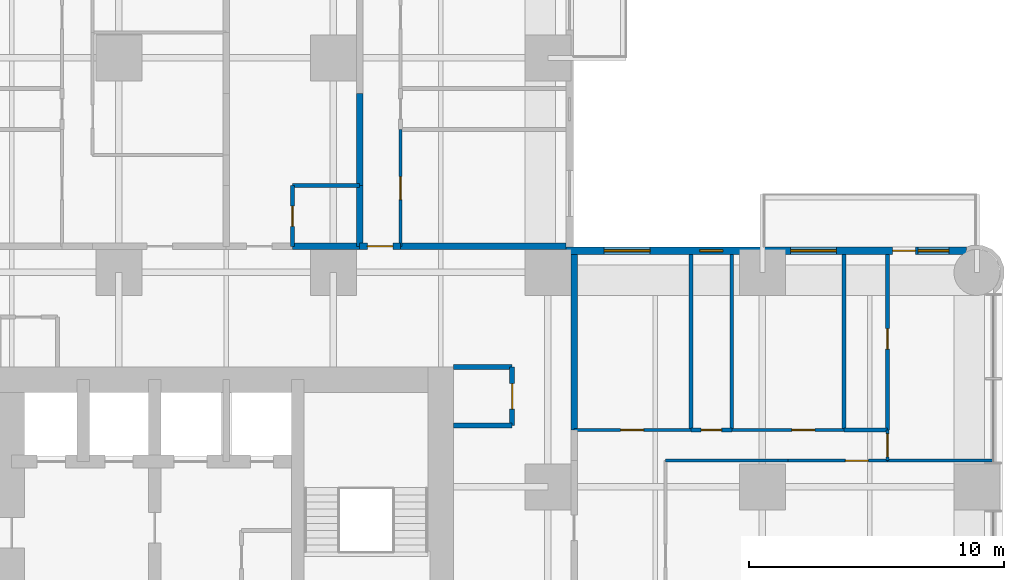
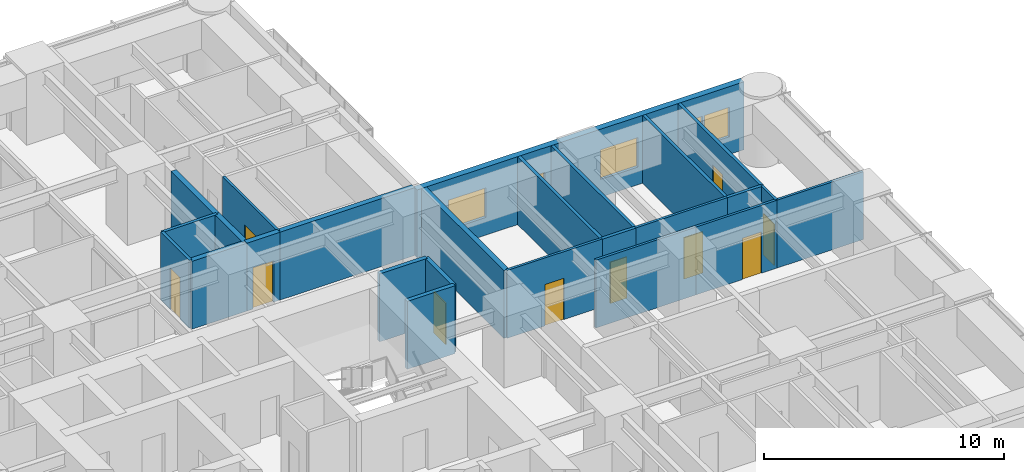
# One storey, part 14 of 17: 25 walls, 11 doors, 4 windows, 15 openings.
"""IFC4 building model written with IfcOpenShell, lengths in metres."""

from ifc_helpers import new_model, si_unit, direction, frame, frame_2d, origin, place, context, subcontext, project, spatial, rectangle, extrude, material, layer, layer_set, type_object, element, fill, save


model = new_model("IFC4")

# Units and contexts
model_context = context("Model", 3, precision=1e-05, world=origin(), true_north=direction((0.0, 1.0)))
body_context = subcontext(model_context, "Body", "Model", "MODEL_VIEW")
ifc_project = project(units=[si_unit("LENGTHUNIT", "METRE"), si_unit("AREAUNIT", "SQUARE_METRE"), si_unit("VOLUMEUNIT", "CUBIC_METRE"), si_unit("PLANEANGLEUNIT", "RADIAN"), si_unit("MASSUNIT", "GRAM", prefix="KILO")], contexts=[model_context])

# Site, building, storey
site_placement = place(None, origin())
site = spatial("IfcSite", under=ifc_project, at=site_placement, CompositionType="ELEMENT")
building_placement = place(site_placement, origin())
building = spatial("IfcBuilding", under=site, at=building_placement, Name="Torre Alcanfor", CompositionType="ELEMENT")
storey_placement = place(building_placement, frame((0.0, 0.0, 63.300048828125)))
storey = spatial("IfcBuildingStorey", under=building, at=storey_placement, Name="L15", CompositionType="ELEMENT", Elevation=63.300048828125)

# Wall
ifc_material_1 = material(Name="Concrete block masonry, hollow blocks NMX-C-404 9 MPa", Category="masonry")
ifc_layer_1 = layer(ifc_material_1, 0.25)
ifc_layer_set_1 = layer_set([ifc_layer_1], Name="Apartment entrance wall 250 EI 60")
wall_type_1 = type_object("IfcWallType", Name="Apartment entrance wall 250 EI 60", PredefinedType="PARTITIONING", material=ifc_layer_set_1)
wall_1_placement = place(storey_placement, frame((32.0, 43.02490234375, 0.0), z_axis=(0.0, 0.0, 1.0), x_axis=(1.0, 0.0, 0.0)))
element("IfcWall", 1, at=wall_1_placement, inside=storey, type_object=wall_type_1, Name="Partition L15-CORR / L15-N2A-BATH", PredefinedType="PARTITIONING", context=body_context, shape_type="SweptSolid", body=[
    extrude(rectangle(XDim=2.62890625, YDim=0.25, at=frame_2d((1.314453125, 0.0))), origin(), (0.0, 0.0, 1.0), 3.449951171875),
])

# Wall, opening, door
wall_2_placement = place(storey_placement, frame((34.62890625, 43.02490234375, 0.0), z_axis=(0.0, 0.0, 1.0), x_axis=(1.0, 0.0, 0.0)))
wall_2 = element("IfcWall", 2, at=wall_2_placement, inside=storey, type_object=wall_type_1, Name="Partition L15-CORR / L15-N2B-HALL", PredefinedType="PARTITIONING", context=body_context, shape_type="SweptSolid", body=[
    extrude(rectangle(XDim=1.60009765625, YDim=0.25, at=frame_2d((0.800048828125, 0.0))), origin(), (0.0, 0.0, 1.0), 3.449951171875),
])
opening_1_placement = place(wall_2_placement, frame((0.300048828125, 0.0, 0.0)))
opening_1 = element("IfcOpeningElement", 3, at=opening_1_placement, cuts=wall_2, Name="Opening D-A1", PredefinedType="OPENING", context=body_context, shape_type="SweptSolid", body=[
    extrude(rectangle(XDim=1.0, YDim=2.10009765625, at=frame_2d((0.5, 1.050048828125))), frame((0.0, 0.135009765625, 0.0), z_axis=(0.0, -1.0, 0.0), x_axis=(1.0, 0.0, 0.0)), (0.0, 0.0, 1.0), 0.27001953125),
])
ifc_material_2 = material(Name="Galvanised steel sheet ASTM A653", Category="steel")
door_type_1 = type_object("IfcDoorType", Name="Apartment entrance door FD60 1000x2100", OperationType="SINGLE_SWING_LEFT", PredefinedType="DOOR", material=ifc_material_2)
door_1_placement = place(opening_1_placement, origin())
door_1 = element("IfcDoor", 4, at=door_1_placement, inside=storey, type_object=door_type_1, Name="Apartment entrance L15-N2B", OperationType="SINGLE_SWING_LEFT", OverallHeight=2.10009765625, OverallWidth=1.0, PredefinedType="DOOR", context=body_context, shape_type="SweptSolid", body=[
    extrude(rectangle(XDim=1.0, YDim=2.10009765625, at=frame_2d((0.5, 1.050048828125))), frame((0.0, 0.02490234375, 0.0), z_axis=(0.0, -1.0, 0.0), x_axis=(1.0, 0.0, 0.0)), (0.0, 0.0, 1.0), 0.050048828125),
])
fill(opening_1, door_1)

# Walls
wall_3_placement = place(storey_placement, frame((36.22900390625, 43.02490234375, 0.0), z_axis=(0.0, 0.0, 1.0), x_axis=(1.0, 0.0, 0.0)))
element("IfcWall", 5, at=wall_3_placement, inside=storey, type_object=wall_type_1, Name="Partition L15-CORR / L15-N2B-BED2", PredefinedType="PARTITIONING", context=body_context, shape_type="SweptSolid", body=[
    extrude(rectangle(XDim=6.470947265625, YDim=0.25, at=frame_2d((3.2353515625, 0.0))), origin(), (0.0, 0.0, 1.0), 3.449951171875),
])
wall_4_placement = place(storey_placement, frame((43.02490234375, 42.699951171875, 0.0), z_axis=(0.0, 0.0, 1.0), x_axis=(0.0, -1.0, 0.0)))
element("IfcWall", 6, at=wall_4_placement, inside=storey, type_object=wall_type_1, Name="Partition L15-CORR / L15-E1-BED3", PredefinedType="PARTITIONING", context=body_context, shape_type="SweptSolid", body=[
    extrude(rectangle(XDim=6.870849609375, YDim=0.25, at=frame_2d((3.435546875, 0.0))), origin(), (0.0, 0.0, 1.0), 3.449951171875),
])

# Wall, opening, door
ifc_material_3 = material(Name="Gypsum board on steel studs", Category="steel")
ifc_layer_2 = layer(ifc_material_3, 0.1201171875)
ifc_layer_set_2 = layer_set([ifc_layer_2], Name="Apartment partition 120")
wall_type_2 = type_object("IfcWallType", Name="Apartment partition 120", PredefinedType="PARTITIONING", material=ifc_layer_set_2)
wall_5_placement = place(storey_placement, frame((36.22900390625, 47.60009765625, 0.0), z_axis=(0.0, 0.0, 1.0), x_axis=(0.0, -1.0, 0.0)))
wall_5 = element("IfcWall", 7, at=wall_5_placement, inside=storey, type_object=wall_type_2, Name="Partition L15-N2B-HALL / L15-N2B-BED2", PredefinedType="PARTITIONING", context=body_context, shape_type="SweptSolid", body=[
    extrude(rectangle(XDim=4.5751953125, YDim=0.1201171875, at=frame_2d((2.28759765625, 0.0))), origin(), (0.0, 0.0, 1.0), 3.449951171875),
])
opening_2_placement = place(wall_5_placement, frame((1.85009765625, 0.0, 0.0)))
opening_2 = element("IfcOpeningElement", 8, at=opening_2_placement, cuts=wall_5, Name="Opening D-R1", PredefinedType="OPENING", context=body_context, shape_type="SweptSolid", body=[
    extrude(rectangle(XDim=0.89990234375, YDim=2.10009765625, at=frame_2d((0.449951171875, 1.050048828125))), frame((0.0, 0.070068359375, 0.0), z_axis=(0.0, -1.0, 0.0), x_axis=(1.0, 0.0, 0.0)), (0.0, 0.0, 1.0), 0.14013671875),
])
ifc_material_4 = material(Name="Timber", Category="wood")
door_type_2 = type_object("IfcDoorType", Name="Internal door 900x2100", OperationType="SINGLE_SWING_LEFT", PredefinedType="DOOR", material=ifc_material_4)
door_2_placement = place(opening_2_placement, origin())
door_2 = element("IfcDoor", 9, at=door_2_placement, inside=storey, type_object=door_type_2, Name="Door L15-N2B bed2", OperationType="SINGLE_SWING_RIGHT", OverallHeight=2.10009765625, OverallWidth=0.89990234375, PredefinedType="DOOR", context=body_context, shape_type="SweptSolid", body=[
    extrude(rectangle(XDim=0.89990234375, YDim=2.10009765625, at=frame_2d((0.449951171875, 1.050048828125))), frame((0.0, 0.02490234375, 0.0), z_axis=(0.0, -1.0, 0.0), x_axis=(1.0, 0.0, 0.0)), (0.0, 0.0, 1.0), 0.050048828125),
])
fill(opening_2, door_2)

# Wall
wall_6_placement = place(storey_placement, frame((51.39990234375, 34.62890625, 0.0), z_axis=(0.0, 0.0, 1.0), x_axis=(-1.0, 0.0, 0.0)))
element("IfcWall", 10, at=wall_6_placement, inside=storey, type_object=wall_type_2, Name="Partition L15-E1-KITCHEN / L15-E1-HALL", PredefinedType="PARTITIONING", context=body_context, shape_type="SweptSolid", body=[
    extrude(rectangle(XDim=4.7998046875, YDim=0.1201171875, at=frame_2d((2.39990234375, 0.0))), origin(), (0.0, 0.0, 1.0), 3.449951171875),
])

# Wall, opening, door
wall_7_placement = place(storey_placement, frame((55.300048828125, 34.62890625, 0.0), z_axis=(0.0, 0.0, 1.0), x_axis=(-1.0, 0.0, 0.0)))
wall_7 = element("IfcWall", 11, at=wall_7_placement, inside=storey, type_object=wall_type_2, Name="Partition L15-E1-LIVING / L15-E1-HALL", PredefinedType="PARTITIONING", context=body_context, shape_type="SweptSolid", body=[
    extrude(rectangle(XDim=3.900146484375, YDim=0.1201171875, at=frame_2d((1.9501953125, 0.0))), origin(), (0.0, 0.0, 1.0), 3.449951171875),
])
opening_3_placement = place(wall_7_placement, frame((0.75, 0.0, 0.0)))
opening_3 = element("IfcOpeningElement", 12, at=opening_3_placement, cuts=wall_7, Name="Opening D-R1", PredefinedType="OPENING", context=body_context, shape_type="SweptSolid", body=[
    extrude(rectangle(XDim=0.89990234375, YDim=2.10009765625, at=frame_2d((0.449951171875, 1.050048828125))), frame((0.0, 0.070068359375, 0.0), z_axis=(0.0, -1.0, 0.0), x_axis=(1.0, 0.0, 0.0)), (0.0, 0.0, 1.0), 0.14013671875),
])
door_3_placement = place(opening_3_placement, origin())
door_3 = element("IfcDoor", 13, at=door_3_placement, inside=storey, type_object=door_type_2, Name="Door L15-E1 living", OperationType="SINGLE_SWING_RIGHT", OverallHeight=2.10009765625, OverallWidth=0.89990234375, PredefinedType="DOOR", context=body_context, shape_type="SweptSolid", body=[
    extrude(rectangle(XDim=0.89990234375, YDim=2.10009765625, at=frame_2d((0.449951171875, 1.050048828125))), frame((0.0, 0.02490234375, 0.0), z_axis=(0.0, -1.0, 0.0), x_axis=(1.0, 0.0, 0.0)), (0.0, 0.0, 1.0), 0.050048828125),
])
fill(opening_3, door_3)

# Wall
wall_8_placement = place(storey_placement, frame((59.449951171875, 34.62890625, 0.0), z_axis=(0.0, 0.0, 1.0), x_axis=(-1.0, 0.0, 0.0)))
element("IfcWall", 14, at=wall_8_placement, inside=storey, type_object=wall_type_2, Name="Partition L15-E1-LIVING / L15-E1-MASTER", PredefinedType="PARTITIONING", context=body_context, shape_type="SweptSolid", body=[
    extrude(rectangle(XDim=4.14990234375, YDim=0.1201171875, at=frame_2d((2.074951171875, 0.0))), origin(), (0.0, 0.0, 1.0), 3.449951171875),
])

# Wall, opening, door
wall_9_placement = place(storey_placement, frame((47.60009765625, 35.8291015625, 0.0), z_axis=(0.0, 0.0, 1.0), x_axis=(-1.0, 0.0, 0.0)))
wall_9 = element("IfcWall", 15, at=wall_9_placement, inside=storey, type_object=wall_type_2, Name="Partition L15-E1-HALL / L15-E1-BED3", PredefinedType="PARTITIONING", context=body_context, shape_type="SweptSolid", body=[
    extrude(rectangle(XDim=4.5751953125, YDim=0.1201171875, at=frame_2d((2.28759765625, 0.0))), origin(), (0.0, 0.0, 1.0), 3.449951171875),
])
opening_4_placement = place(wall_9_placement, frame((1.85009765625, 0.0, 0.0)))
opening_4 = element("IfcOpeningElement", 16, at=opening_4_placement, cuts=wall_9, Name="Opening D-R1", PredefinedType="OPENING", context=body_context, shape_type="SweptSolid", body=[
    extrude(rectangle(XDim=0.89990234375, YDim=2.10009765625, at=frame_2d((0.449951171875, 1.050048828125))), frame((0.0, 0.070068359375, 0.0), z_axis=(0.0, -1.0, 0.0), x_axis=(1.0, 0.0, 0.0)), (0.0, 0.0, 1.0), 0.14013671875),
])
door_4_placement = place(opening_4_placement, frame((0.89990234375, 0.0, 0.0), z_axis=(0.0, 0.0, 1.0), x_axis=(-1.0, 0.0, 0.0)))
door_4 = element("IfcDoor", 17, at=door_4_placement, inside=storey, type_object=door_type_2, Name="Door L15-E1 bed3", OperationType="SINGLE_SWING_LEFT", OverallHeight=2.10009765625, OverallWidth=0.89990234375, PredefinedType="DOOR", context=body_context, shape_type="SweptSolid", body=[
    extrude(rectangle(XDim=0.89990234375, YDim=2.10009765625, at=frame_2d((0.449951171875, 1.050048828125))), frame((0.0, 0.025146484375, 0.0), z_axis=(0.0, -1.0, 0.0), x_axis=(1.0, 0.0, 0.0)), (0.0, 0.0, 1.0), 0.050048828125),
])
fill(opening_4, door_4)

wall_10_placement = place(storey_placement, frame((53.60009765625, 35.8291015625, 0.0), z_axis=(0.0, 0.0, 1.0), x_axis=(-1.0, 0.0, 0.0)))
wall_10 = element("IfcWall", 18, at=wall_10_placement, inside=storey, type_object=wall_type_2, Name="Partition L15-E1-HALL / L15-E1-BED2", PredefinedType="PARTITIONING", context=body_context, shape_type="SweptSolid", body=[
    extrude(rectangle(XDim=4.400146484375, YDim=0.1201171875, at=frame_2d((2.2001953125, 0.0))), origin(), (0.0, 0.0, 1.0), 3.449951171875),
])
opening_5_placement = place(wall_10_placement, frame((1.14990234375, 0.0, 0.0)))
opening_5 = element("IfcOpeningElement", 19, at=opening_5_placement, cuts=wall_10, Name="Opening D-R1", PredefinedType="OPENING", context=body_context, shape_type="SweptSolid", body=[
    extrude(rectangle(XDim=0.89990234375, YDim=2.10009765625, at=frame_2d((0.449951171875, 1.050048828125))), frame((0.0, 0.070068359375, 0.0), z_axis=(0.0, -1.0, 0.0), x_axis=(1.0, 0.0, 0.0)), (0.0, 0.0, 1.0), 0.14013671875),
])
door_5_placement = place(opening_5_placement, frame((0.89990234375, 0.0, 0.0), z_axis=(0.0, 0.0, 1.0), x_axis=(-1.0, 0.0, 0.0)))
door_5 = element("IfcDoor", 20, at=door_5_placement, inside=storey, type_object=door_type_2, Name="Door L15-E1 bed2", OperationType="SINGLE_SWING_RIGHT", OverallHeight=2.10009765625, OverallWidth=0.89990234375, PredefinedType="DOOR", context=body_context, shape_type="SweptSolid", body=[
    extrude(rectangle(XDim=0.89990234375, YDim=2.10009765625, at=frame_2d((0.449951171875, 1.050048828125))), frame((0.0, 0.025146484375, 0.0), z_axis=(0.0, -1.0, 0.0), x_axis=(1.0, 0.0, 0.0)), (0.0, 0.0, 1.0), 0.050048828125),
])
fill(opening_5, door_5)

wall_11_placement = place(storey_placement, frame((55.300048828125, 34.62890625, 0.0), z_axis=(0.0, 0.0, 1.0), x_axis=(0.0, 1.0, 0.0)))
wall_11 = element("IfcWall", 21, at=wall_11_placement, inside=storey, type_object=wall_type_2, Name="Partition L15-E1-HALL / L15-E1-MASTER", PredefinedType="PARTITIONING", context=body_context, shape_type="SweptSolid", body=[
    extrude(rectangle(XDim=1.2001953125, YDim=0.1201171875, at=frame_2d((0.60009765625, 0.0))), origin(), (0.0, 0.0, 1.0), 3.449951171875),
])
opening_6_placement = place(wall_11_placement, frame((0.15087890625, 0.0, 0.0)))
opening_6 = element("IfcOpeningElement", 22, at=opening_6_placement, cuts=wall_11, Name="Opening D-R1", PredefinedType="OPENING", context=body_context, shape_type="SweptSolid", body=[
    extrude(rectangle(XDim=0.89990234375, YDim=2.10009765625, at=frame_2d((0.449951171875, 1.050048828125))), frame((0.0, 0.070068359375, 0.0), z_axis=(0.0, -1.0, 0.0), x_axis=(1.0, 0.0, 0.0)), (0.0, 0.0, 1.0), 0.14013671875),
])
door_6_placement = place(opening_6_placement, frame((0.89990234375, 0.0, 0.0), z_axis=(0.0, 0.0, 1.0), x_axis=(-1.0, 0.0, 0.0)))
door_6 = element("IfcDoor", 23, at=door_6_placement, inside=storey, type_object=door_type_2, Name="Door L15-E1 master", OperationType="SINGLE_SWING_RIGHT", OverallHeight=2.10009765625, OverallWidth=0.89990234375, PredefinedType="DOOR", context=body_context, shape_type="SweptSolid", body=[
    extrude(rectangle(XDim=0.89990234375, YDim=2.10009765625, at=frame_2d((0.449951171875, 1.050048828125))), frame((0.0, 0.025146484375, 0.0), z_axis=(0.0, -1.0, 0.0), x_axis=(1.0, 0.0, 0.0)), (0.0, 0.0, 1.0), 0.050048828125),
])
fill(opening_6, door_6)

# Wall, openings, door, windows
ifc_material_5 = material(Name="Limestone cladding", Category="masonry")
ifc_layer_3 = layer(ifc_material_5, 0.0400390625, Name="Facing")
ifc_material_6 = material(Name="Ventilated air cavity")
ifc_layer_4 = layer(ifc_material_6, 0.02001953125, ventilated=True, Name="Ventilated joint")
ifc_material_7 = material(Name="Mineral wool insulation", Category="insulation")
ifc_layer_5 = layer(ifc_material_7, 0.10009765625, Name="Insulation")
ifc_material_8 = material(Name="Concrete f'c 35 MPa", Category="concrete")
ifc_layer_6 = layer(ifc_material_8, 0.139892578125, Name="Backing")
ifc_layer_set_3 = layer_set([ifc_layer_3, ifc_layer_4, ifc_layer_5, ifc_layer_6], Name="External wall stone-clad 300")
wall_type_3 = type_object("IfcWallType", Name="External wall stone-clad 300", PredefinedType="SOLIDWALL", material=ifc_layer_set_3)
wall_12_placement = place(storey_placement, frame((58.39990234375, 42.85009765625, 0.0), z_axis=(0.0, 0.0, 1.0), x_axis=(-1.0, 0.0, 0.0)))
wall_12 = element("IfcWall", 24, at=wall_12_placement, inside=storey, type_object=wall_type_3, Name="External wall L15 9", PredefinedType="SOLIDWALL", context=body_context, shape_type="SweptSolid", body=[
    extrude(rectangle(XDim=15.699951171875, YDim=0.300048828125, at=frame_2d((7.85009765625, 0.0))), origin(), (0.0, 0.0, 1.0), 3.449951171875),
])
opening_7_placement = place(wall_12_placement, frame((12.39990234375, 0.0, 0.89990234375)))
opening_7 = element("IfcOpeningElement", 25, at=opening_7_placement, cuts=wall_12, Name="Opening W2", PredefinedType="OPENING", context=body_context, shape_type="SweptSolid", body=[
    extrude(rectangle(XDim=1.800048828125, YDim=1.5, at=frame_2d((0.89990234375, 0.75))), frame((0.0, 0.159912109375, 0.0), z_axis=(0.0, -1.0, 0.0), x_axis=(1.0, 0.0, 0.0)), (0.0, 0.0, 1.0), 0.320068359375),
])
opening_8_placement = place(wall_12_placement, frame((9.550048828125, 0.0, 1.5)))
opening_8 = element("IfcOpeningElement", 26, at=opening_8_placement, cuts=wall_12, Name="Opening W3", PredefinedType="OPENING", context=body_context, shape_type="SweptSolid", body=[
    extrude(rectangle(XDim=0.89990234375, YDim=0.699951171875, at=frame_2d((0.449951171875, 0.35009765625))), frame((0.0, 0.159912109375, 0.0), z_axis=(0.0, -1.0, 0.0), x_axis=(1.0, 0.0, 0.0)), (0.0, 0.0, 1.0), 0.320068359375),
])
opening_9_placement = place(wall_12_placement, frame((5.10009765625, 0.0, 0.89990234375)))
opening_9 = element("IfcOpeningElement", 27, at=opening_9_placement, cuts=wall_12, Name="Opening W2", PredefinedType="OPENING", context=body_context, shape_type="SweptSolid", body=[
    extrude(rectangle(XDim=1.800048828125, YDim=1.5, at=frame_2d((0.89990234375, 0.75))), frame((0.0, 0.159912109375, 0.0), z_axis=(0.0, -1.0, 0.0), x_axis=(1.0, 0.0, 0.0)), (0.0, 0.0, 1.0), 0.320068359375),
])
opening_10_placement = place(wall_12_placement, frame((2.0, 0.0, 0.0)))
opening_10 = element("IfcOpeningElement", 28, at=opening_10_placement, cuts=wall_12, Name="Opening D-B1", PredefinedType="OPENING", context=body_context, shape_type="SweptSolid", body=[
    extrude(rectangle(XDim=0.89990234375, YDim=2.39990234375, at=frame_2d((0.449951171875, 1.199951171875))), frame((0.0, 0.159912109375, 0.0), z_axis=(0.0, -1.0, 0.0), x_axis=(1.0, 0.0, 0.0)), (0.0, 0.0, 1.0), 0.320068359375),
])
opening_11_placement = place(wall_12_placement, frame((0.699951171875, 0.0, 0.89990234375)))
opening_11 = element("IfcOpeningElement", 29, at=opening_11_placement, cuts=wall_12, Name="Opening W4", PredefinedType="OPENING", context=body_context, shape_type="SweptSolid", body=[
    extrude(rectangle(XDim=1.199951171875, YDim=1.5, at=frame_2d((0.60009765625, 0.75))), frame((0.0, 0.159912109375, 0.0), z_axis=(0.0, -1.0, 0.0), x_axis=(1.0, 0.0, 0.0)), (0.0, 0.0, 1.0), 0.320068359375),
])
ifc_material_9 = material(Name="Aluminium and glass", Category="aluminium")
door_type_3 = type_object("IfcDoorType", Name="Balcony door glazed 900x2400", OperationType="SINGLE_SWING_LEFT", PredefinedType="DOOR", material=ifc_material_9)
door_7_placement = place(opening_10_placement, origin())
door_7 = element("IfcDoor", 30, at=door_7_placement, inside=storey, type_object=door_type_3, Name="Balcony door L15-E1", OperationType="SINGLE_SWING_RIGHT", OverallHeight=2.39990234375, OverallWidth=0.89990234375, PredefinedType="DOOR", context=body_context, shape_type="SweptSolid", body=[
    extrude(rectangle(XDim=0.89990234375, YDim=2.39990234375, at=frame_2d((0.449951171875, 1.199951171875))), frame((0.0, 0.02490234375, 0.0), z_axis=(0.0, -1.0, 0.0), x_axis=(1.0, 0.0, 0.0)), (0.0, 0.0, 1.0), 0.050048828125),
])
fill(opening_10, door_7)
ifc_material_10 = material(Name="Aluminium frame with clear double glazing", Category="aluminium")
window_type_1 = type_object("IfcWindowType", Name="Window bathroom 900x700", PartitioningType="SINGLE_PANEL", PredefinedType="WINDOW", material=ifc_material_10)
window_1_placement = place(opening_8_placement, origin())
window_1 = element("IfcWindow", 31, at=window_1_placement, inside=storey, type_object=window_type_1, Name="Window W3 L15-E1", OverallHeight=0.699951171875, OverallWidth=0.89990234375, PartitioningType="SINGLE_PANEL", PredefinedType="WINDOW", context=body_context, shape_type="SweptSolid", body=[
    extrude(rectangle(XDim=0.89990234375, YDim=0.699951171875, at=frame_2d((0.449951171875, 0.35009765625))), frame((0.0, 0.030029296875, 0.0), z_axis=(0.0, -1.0, 0.0), x_axis=(1.0, 0.0, 0.0)), (0.0, 0.0, 1.0), 0.06005859375),
])
fill(opening_8, window_1)
ifc_material_11 = material(Name="Aluminium frame with clear double glazing", Category="aluminium")
window_type_2 = type_object("IfcWindowType", Name="Window bedroom 1200x1500", PartitioningType="SINGLE_PANEL", PredefinedType="WINDOW", material=ifc_material_11)
window_2_placement = place(opening_11_placement, origin())
window_2 = element("IfcWindow", 32, at=window_2_placement, inside=storey, type_object=window_type_2, Name="Window W4 L15-E1", OverallHeight=1.5, OverallWidth=1.199951171875, PartitioningType="SINGLE_PANEL", PredefinedType="WINDOW", context=body_context, shape_type="SweptSolid", body=[
    extrude(rectangle(XDim=1.199951171875, YDim=1.5, at=frame_2d((0.60009765625, 0.75))), frame((0.0, 0.030029296875, 0.0), z_axis=(0.0, -1.0, 0.0), x_axis=(1.0, 0.0, 0.0)), (0.0, 0.0, 1.0), 0.06005859375),
])
fill(opening_11, window_2)
ifc_material_12 = material(Name="Aluminium frame with clear double glazing", Category="aluminium")
window_type_3 = type_object("IfcWindowType", Name="Window bedroom 1800x1500", PartitioningType="SINGLE_PANEL", PredefinedType="WINDOW", material=ifc_material_12)
window_3_placement = place(opening_7_placement, origin())
window_3 = element("IfcWindow", 33, at=window_3_placement, inside=storey, type_object=window_type_3, Name="Window W2 L15-E1", OverallHeight=1.5, OverallWidth=1.800048828125, PartitioningType="SINGLE_PANEL", PredefinedType="WINDOW", context=body_context, shape_type="SweptSolid", body=[
    extrude(rectangle(XDim=1.800048828125, YDim=1.5, at=frame_2d((0.89990234375, 0.75))), frame((0.0, 0.030029296875, 0.0), z_axis=(0.0, -1.0, 0.0), x_axis=(1.0, 0.0, 0.0)), (0.0, 0.0, 1.0), 0.06005859375),
])
fill(opening_7, window_3)
window_4_placement = place(opening_9_placement, origin())
window_4 = element("IfcWindow", 34, at=window_4_placement, inside=storey, type_object=window_type_3, Name="Window W2 L15-E1", OverallHeight=1.5, OverallWidth=1.800048828125, PartitioningType="SINGLE_PANEL", PredefinedType="WINDOW", context=body_context, shape_type="SweptSolid", body=[
    extrude(rectangle(XDim=1.800048828125, YDim=1.5, at=frame_2d((0.89990234375, 0.75))), frame((0.0, 0.030029296875, 0.0), z_axis=(0.0, -1.0, 0.0), x_axis=(1.0, 0.0, 0.0)), (0.0, 0.0, 1.0), 0.06005859375),
])
fill(opening_9, window_4)

# Walls
ifc_material_13 = material(Name="Concrete block masonry, hollow blocks NMX-C-404 9 MPa", Category="masonry")
ifc_layer_7 = layer(ifc_material_13, 0.25)
ifc_layer_set_4 = layer_set([ifc_layer_7], Name="Party wall 250 EI 60")
wall_type_4 = type_object("IfcWallType", Name="Party wall 250 EI 60", PredefinedType="PARTITIONING", material=ifc_layer_set_4)
wall_13_placement = place(storey_placement, frame((34.62890625, 45.39990234375, 0.0), z_axis=(0.0, 0.0, 1.0), x_axis=(0.0, -1.0, 0.0)))
element("IfcWall", 35, at=wall_13_placement, inside=storey, type_object=wall_type_4, Name="Partition L15-N2A-BATH / L15-N2B-HALL", PredefinedType="PARTITIONING", context=body_context, shape_type="SweptSolid", body=[
    extrude(rectangle(XDim=2.375, YDim=0.25, at=frame_2d((1.1875, 0.0))), origin(), (0.0, 0.0, 1.0), 3.449951171875),
])
wall_14_placement = place(storey_placement, frame((34.62890625, 49.0, 0.0), z_axis=(0.0, 0.0, 1.0), x_axis=(0.0, -1.0, 0.0)))
element("IfcWall", 36, at=wall_14_placement, inside=storey, type_object=wall_type_4, Name="Partition L15-N2A-KITCHEN / L15-N2B-HALL", PredefinedType="PARTITIONING", context=body_context, shape_type="SweptSolid", body=[
    extrude(rectangle(XDim=3.60009765625, YDim=0.25, at=frame_2d((1.800048828125, 0.0))), origin(), (0.0, 0.0, 1.0), 3.449951171875),
])
ifc_material_14 = material(Name="Concrete block masonry, hollow blocks NMX-C-404 9 MPa", Category="masonry")
ifc_layer_8 = layer(ifc_material_14, 0.199951171875)
ifc_layer_set_5 = layer_set([ifc_layer_8], Name="Plant room wall 200 EI 60")
wall_type_5 = type_object("IfcWallType", Name="Plant room wall 200 EI 60", PredefinedType="PARTITIONING", material=ifc_layer_set_5)
wall_15_placement = place(storey_placement, frame((38.300048828125, 36.0, 0.0), z_axis=(0.0, 0.0, 1.0), x_axis=(1.0, 0.0, 0.0)))
element("IfcWall", 37, at=wall_15_placement, inside=storey, type_object=wall_type_5, Name="Partition L15-CORR / L15-G03", PredefinedType="PARTITIONING", context=body_context, shape_type="SweptSolid", body=[
    extrude(rectangle(XDim=2.300048828125, YDim=0.199951171875, at=frame_2d((1.14990234375, 0.0))), origin(), (0.0, 0.0, 1.0), 3.449951171875),
])

# Wall, opening, door
wall_16_placement = place(storey_placement, frame((40.60009765625, 36.0, 0.0), z_axis=(0.0, 0.0, 1.0), x_axis=(0.0, 1.0, 0.0)))
wall_16 = element("IfcWall", 38, at=wall_16_placement, inside=storey, type_object=wall_type_5, Name="Partition L15-CORR / L15-G03", PredefinedType="PARTITIONING", context=body_context, shape_type="SweptSolid", body=[
    extrude(rectangle(XDim=2.300048828125, YDim=0.199951171875, at=frame_2d((1.14990234375, 0.0))), origin(), (0.0, 0.0, 1.0), 3.449951171875),
])
opening_12_placement = place(wall_16_placement, frame((0.64990234375, 0.0, 0.0)))
opening_12 = element("IfcOpeningElement", 39, at=opening_12_placement, cuts=wall_16, Name="Opening D-K1", PredefinedType="OPENING", context=body_context, shape_type="SweptSolid", body=[
    extrude(rectangle(XDim=1.0, YDim=2.10009765625, at=frame_2d((0.5, 1.050048828125))), frame((0.0, 0.10986328125, 0.0), z_axis=(0.0, -1.0, 0.0), x_axis=(1.0, 0.0, 0.0)), (0.0, 0.0, 1.0), 0.219970703125),
])
ifc_material_15 = material(Name="Galvanised steel sheet ASTM A653", Category="steel")
door_type_4 = type_object("IfcDoorType", Name="Core room door FD60 1000x2100", OperationType="SINGLE_SWING_LEFT", PredefinedType="DOOR", material=ifc_material_15)
door_8_placement = place(opening_12_placement, origin())
door_8 = element("IfcDoor", 40, at=door_8_placement, inside=storey, type_object=door_type_4, Name="Door L15-G03 refuse and recycling store", OperationType="SINGLE_SWING_LEFT", OverallHeight=2.10009765625, OverallWidth=1.0, PredefinedType="DOOR", context=body_context, shape_type="SweptSolid", body=[
    extrude(rectangle(XDim=1.0, YDim=2.10009765625, at=frame_2d((0.5, 1.050048828125))), frame((0.0, 0.02490234375, 0.0), z_axis=(0.0, -1.0, 0.0), x_axis=(1.0, 0.0, 0.0)), (0.0, 0.0, 1.0), 0.050048828125),
])
fill(opening_12, door_8)

# Wall
wall_17_placement = place(storey_placement, frame((40.60009765625, 38.300048828125, 0.0), z_axis=(0.0, 0.0, 1.0), x_axis=(-1.0, 0.0, 0.0)))
element("IfcWall", 41, at=wall_17_placement, inside=storey, type_object=wall_type_5, Name="Partition L15-CORR / L15-G03", PredefinedType="PARTITIONING", context=body_context, shape_type="SweptSolid", body=[
    extrude(rectangle(XDim=2.300048828125, YDim=0.199951171875, at=frame_2d((1.14990234375, 0.0))), origin(), (0.0, 0.0, 1.0), 3.449951171875),
])

# Wall, opening, door
ifc_material_16 = material(Name="Cement board on steel studs", Category="steel")
ifc_layer_9 = layer(ifc_material_16, 0.14990234375)
ifc_layer_set_6 = layer_set([ifc_layer_9], Name="Wet area partition 150")
wall_type_6 = type_object("IfcWallType", Name="Wet area partition 150", PredefinedType="PARTITIONING", material=ifc_layer_set_6)
wall_18_placement = place(storey_placement, frame((32.0, 45.39990234375, 0.0), z_axis=(0.0, 0.0, 1.0), x_axis=(0.0, -1.0, 0.0)))
wall_18 = element("IfcWall", 42, at=wall_18_placement, inside=storey, type_object=wall_type_6, Name="Partition L15-N2A-FOYER / L15-N2A-BATH", PredefinedType="PARTITIONING", context=body_context, shape_type="SweptSolid", body=[
    extrude(rectangle(XDim=2.375, YDim=0.14990234375, at=frame_2d((1.1875, 0.0))), origin(), (0.0, 0.0, 1.0), 3.449951171875),
])
opening_13_placement = place(wall_18_placement, frame((0.800048828125, 0.0, 0.0)))
opening_13 = element("IfcOpeningElement", 43, at=opening_13_placement, cuts=wall_18, Name="Opening D-R2", PredefinedType="OPENING", context=body_context, shape_type="SweptSolid", body=[
    extrude(rectangle(XDim=0.800048828125, YDim=2.10009765625, at=frame_2d((0.39990234375, 1.050048828125))), frame((0.0, 0.0849609375, 0.0), z_axis=(0.0, -1.0, 0.0), x_axis=(1.0, 0.0, 0.0)), (0.0, 0.0, 1.0), 0.169921875),
])
ifc_material_17 = material(Name="Timber", Category="wood")
door_type_5 = type_object("IfcDoorType", Name="Bathroom door 800x2100", OperationType="SINGLE_SWING_LEFT", PredefinedType="DOOR", material=ifc_material_17)
door_9_placement = place(opening_13_placement, origin())
door_9 = element("IfcDoor", 44, at=door_9_placement, inside=storey, type_object=door_type_5, Name="Door L15-N2A bath", OperationType="SINGLE_SWING_RIGHT", OverallHeight=2.10009765625, OverallWidth=0.800048828125, PredefinedType="DOOR", context=body_context, shape_type="SweptSolid", body=[
    extrude(rectangle(XDim=0.800048828125, YDim=2.10009765625, at=frame_2d((0.39990234375, 1.050048828125))), frame((0.0, 0.02490234375, 0.0), z_axis=(0.0, -1.0, 0.0), x_axis=(1.0, 0.0, 0.0)), (0.0, 0.0, 1.0), 0.050048828125),
])
fill(opening_13, door_9)

# Wall
wall_19_placement = place(storey_placement, frame((32.0, 45.39990234375, 0.0), z_axis=(0.0, 0.0, 1.0), x_axis=(1.0, 0.0, 0.0)))
element("IfcWall", 45, at=wall_19_placement, inside=storey, type_object=wall_type_6, Name="Partition L15-N2A-BATH / L15-N2A-KITCHEN", PredefinedType="PARTITIONING", context=body_context, shape_type="SweptSolid", body=[
    extrude(rectangle(XDim=2.62890625, YDim=0.14990234375, at=frame_2d((1.314453125, 0.0))), origin(), (0.0, 0.0, 1.0), 3.449951171875),
])

# Wall, opening, door
wall_20_placement = place(storey_placement, frame((49.199951171875, 35.8291015625, 0.0), z_axis=(0.0, 0.0, 1.0), x_axis=(-1.0, 0.0, 0.0)))
wall_20 = element("IfcWall", 46, at=wall_20_placement, inside=storey, type_object=wall_type_6, Name="Partition L15-E1-HALL / L15-E1-BATH1", PredefinedType="PARTITIONING", context=body_context, shape_type="SweptSolid", body=[
    extrude(rectangle(XDim=1.599853515625, YDim=0.14990234375, at=frame_2d((0.7998046875, 0.0))), origin(), (0.0, 0.0, 1.0), 3.449951171875),
])
opening_14_placement = place(wall_20_placement, frame((0.39990234375, 0.0, 0.0)))
opening_14 = element("IfcOpeningElement", 47, at=opening_14_placement, cuts=wall_20, Name="Opening D-R2", PredefinedType="OPENING", context=body_context, shape_type="SweptSolid", body=[
    extrude(rectangle(XDim=0.800048828125, YDim=2.10009765625, at=frame_2d((0.39990234375, 1.050048828125))), frame((0.0, 0.0849609375, 0.0), z_axis=(0.0, -1.0, 0.0), x_axis=(1.0, 0.0, 0.0)), (0.0, 0.0, 1.0), 0.169921875),
])
door_10_placement = place(opening_14_placement, frame((0.800048828125, 0.0, 0.0), z_axis=(0.0, 0.0, 1.0), x_axis=(-1.0, 0.0, 0.0)))
door_10 = element("IfcDoor", 48, at=door_10_placement, inside=storey, type_object=door_type_5, Name="Door L15-E1 bath1", OperationType="SINGLE_SWING_RIGHT", OverallHeight=2.10009765625, OverallWidth=0.800048828125, PredefinedType="DOOR", context=body_context, shape_type="SweptSolid", body=[
    extrude(rectangle(XDim=0.800048828125, YDim=2.10009765625, at=frame_2d((0.400146484375, 1.050048828125))), frame((0.0, 0.025146484375, 0.0), z_axis=(0.0, -1.0, 0.0), x_axis=(1.0, 0.0, 0.0)), (0.0, 0.0, 1.0), 0.050048828125),
])
fill(opening_14, door_10)

# Walls
wall_21_placement = place(storey_placement, frame((55.300048828125, 35.8291015625, 0.0), z_axis=(0.0, 0.0, 1.0), x_axis=(-1.0, 0.0, 0.0)))
element("IfcWall", 49, at=wall_21_placement, inside=storey, type_object=wall_type_6, Name="Partition L15-E1-HALL / L15-E1-ENSBATH", PredefinedType="PARTITIONING", context=body_context, shape_type="SweptSolid", body=[
    extrude(rectangle(XDim=1.699951171875, YDim=0.14990234375, at=frame_2d((0.85009765625, 0.0))), origin(), (0.0, 0.0, 1.0), 3.449951171875),
])
for number, where, z_axis, x_axis, name in (
    (50, (47.60009765625, 35.8291015625, 0.0), (0.0, 0.0, 1.0), (0.0, 1.0, 0.0), "Partition L15-E1-BED3 / L15-E1-BATH1"),
    (51, (49.199951171875, 35.8291015625, 0.0), (0.0, 0.0, 1.0), (0.0, 1.0, 0.0), "Partition L15-E1-BATH1 / L15-E1-BED2"),
    (52, (53.60009765625, 35.8291015625, 0.0), (0.0, 0.0, 1.0), (0.0, 1.0, 0.0), "Partition L15-E1-BED2 / L15-E1-ENSBATH"),
):
    element("IfcWall", number, at=place(storey_placement, frame(where, z_axis=z_axis, x_axis=x_axis)), inside=storey, type_object=wall_type_6, Name=name, PredefinedType="PARTITIONING", context=body_context, shape_type="SweptSolid", body=[
        extrude(rectangle(XDim=6.870849609375, YDim=0.14990234375, at=frame_2d((3.435546875, 0.0))), origin(), (0.0, 0.0, 1.0), 3.449951171875),
    ])

# Wall, opening, door
wall_22_placement = place(storey_placement, frame((55.300048828125, 35.8291015625, 0.0), z_axis=(0.0, 0.0, 1.0), x_axis=(0.0, 1.0, 0.0)))
wall_22 = element("IfcWall", 53, at=wall_22_placement, inside=storey, type_object=wall_type_6, Name="Partition L15-E1-ENSBATH / L15-E1-MASTER", PredefinedType="PARTITIONING", context=body_context, shape_type="SweptSolid", body=[
    extrude(rectangle(XDim=6.870849609375, YDim=0.14990234375, at=frame_2d((3.435546875, 0.0))), origin(), (0.0, 0.0, 1.0), 3.449951171875),
])
opening_15_placement = place(wall_22_placement, frame((3.1708984375, 0.0, 0.0)))
opening_15 = element("IfcOpeningElement", 54, at=opening_15_placement, cuts=wall_22, Name="Opening D-R2", PredefinedType="OPENING", context=body_context, shape_type="SweptSolid", body=[
    extrude(rectangle(XDim=0.800048828125, YDim=2.10009765625, at=frame_2d((0.39990234375, 1.050048828125))), frame((0.0, 0.0849609375, 0.0), z_axis=(0.0, -1.0, 0.0), x_axis=(1.0, 0.0, 0.0)), (0.0, 0.0, 1.0), 0.169921875),
])
door_11_placement = place(opening_15_placement, origin())
door_11 = element("IfcDoor", 55, at=door_11_placement, inside=storey, type_object=door_type_5, Name="Door L15-E1 ensbath", OperationType="SINGLE_SWING_RIGHT", OverallHeight=2.10009765625, OverallWidth=0.800048828125, PredefinedType="DOOR", context=body_context, shape_type="SweptSolid", body=[
    extrude(rectangle(XDim=0.800048828125, YDim=2.10009765625, at=frame_2d((0.39990234375, 1.050048828125))), frame((0.0, 0.02490234375, 0.0), z_axis=(0.0, -1.0, 0.0), x_axis=(1.0, 0.0, 0.0)), (0.0, 0.0, 1.0), 0.050048828125),
])
fill(opening_15, door_11)

save(model, "model.ifc")
